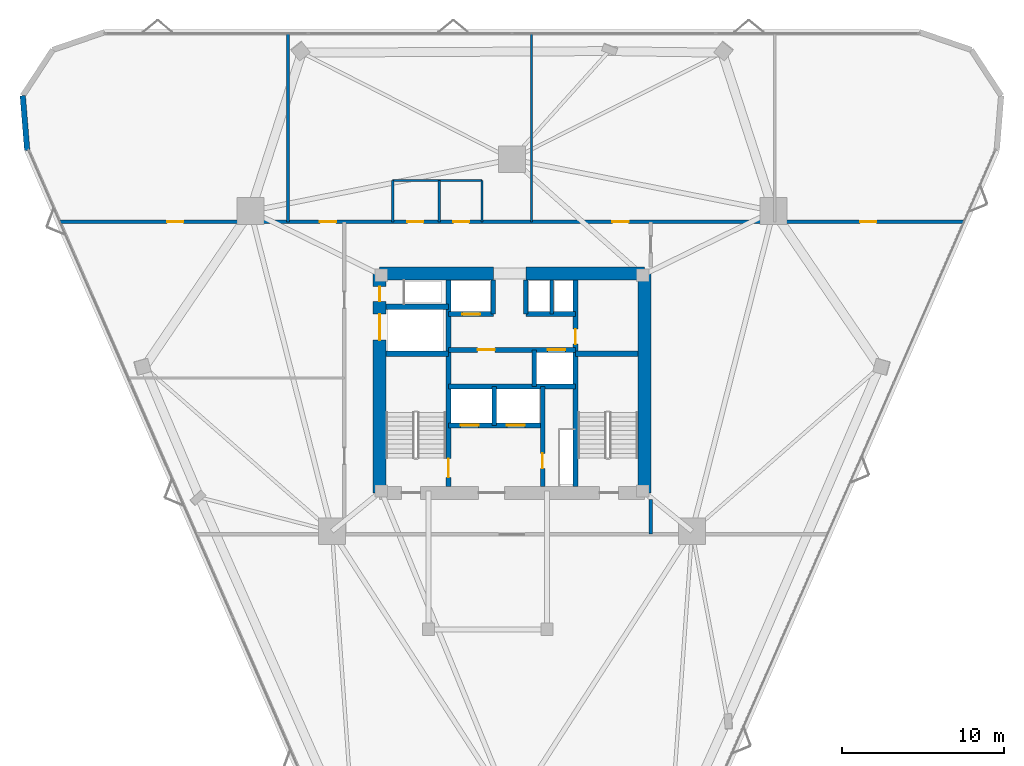
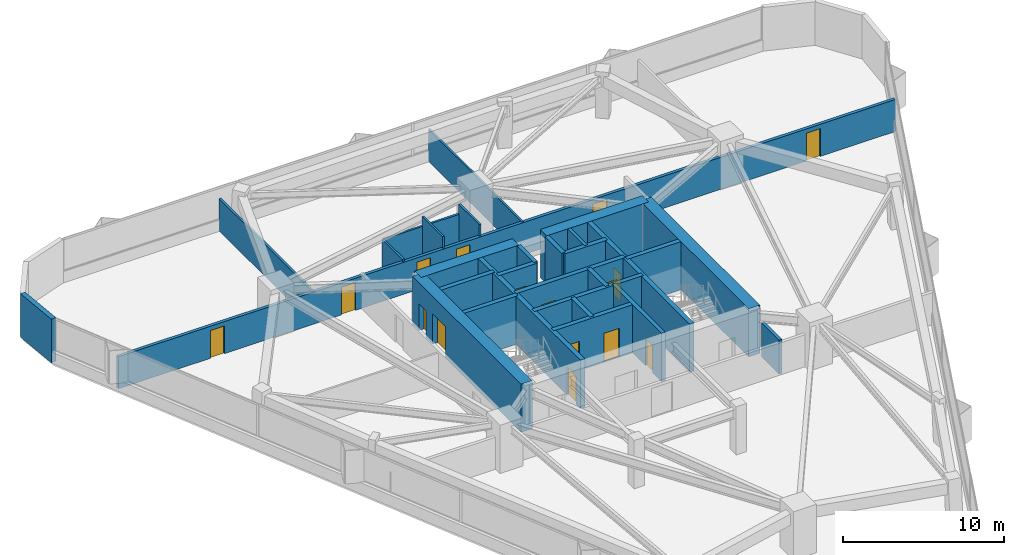
# One storey, part 12 of 14: 29 walls, 16 doors, 16 openings.
"""IFC4 building model written with IfcOpenShell, lengths in metres."""

import ifcopenshell
import ifcopenshell.guid

model = None  # the IFC model being written
_history = None  # IfcOwnerHistory: only IFC2X3 demands one
_inside = {}  # id of a spatial element -> (the spatial element, [elements in it])
_under = {}  # id of a project, library or spatial element -> (it, [spatial elements below it])
_declared = {}  # id of a project -> (the project, [libraries it declares])
_typed = {}  # id of a type object -> (the type object, [elements of that type])
_made_of = {}  # id of a material, layer set ... -> (it, [elements and type objects made of it])


def new_model(schema):
    """Start an empty IFC model of exactly this schema.

    Asked for "IFC4X3", IfcOpenShell would pick the latest addendum, in which some entities
    have other attributes; the version numbers below select the first issue.
    IFC2X3 requires an IfcOwnerHistory on every rooted entity: one is made here for all.
    """
    global model, _history
    if schema == "IFC4X3":
        model = ifcopenshell.file(schema_version=(4, 3, 0, 0))
    else:
        model = ifcopenshell.file(schema=schema)
    _inside.clear()
    _under.clear()
    _declared.clear()
    _typed.clear()
    _made_of.clear()
    _history = None
    if model.schema == "IFC2X3":
        org = make("IfcOrganization", Name="unknown")
        user = make(
            "IfcPersonAndOrganization",
            ThePerson=make("IfcPerson", FamilyName="unknown"),
            TheOrganization=org,
        )
        app = make(
            "IfcApplication",
            ApplicationDeveloper=org,
            Version="unknown",
            ApplicationFullName="unknown",
            ApplicationIdentifier="unknown",
        )
        _history = make(
            "IfcOwnerHistory",
            OwningUser=user,
            OwningApplication=app,
            ChangeAction="ADDED",
            CreationDate=0,
        )
    return model


def make(cls, **values):
    """One entity of the class cls with the attributes given. An attribute that is None is left unset."""
    return model.create_entity(
        cls, **{name: value for name, value in values.items() if value is not None}
    )


def rooted(cls, **values):
    """An entity with a GlobalId (a new one), such as an element, a storey or a relation."""
    return make(cls, GlobalId=ifcopenshell.guid.new(), OwnerHistory=_history, **values)


def si_unit(unit_type, name, prefix=None):
    """IfcSIUnit, for example si_unit("LENGTHUNIT", "METRE", prefix="MILLI")."""
    return make("IfcSIUnit", UnitType=unit_type, Prefix=prefix, Name=name)


def assignment(units):
    """IfcUnitAssignment: the units of a project."""
    return None if units is None else make("IfcUnitAssignment", Units=units)


def point(xyz):
    """IfcCartesianPoint."""
    return None if xyz is None else make("IfcCartesianPoint", Coordinates=xyz)


def direction(xyz):
    """IfcDirection."""
    return None if xyz is None else make("IfcDirection", DirectionRatios=xyz)


def frame(location, z_axis=None, x_axis=None):
    """IfcAxis2Placement3D, a coordinate frame: its origin and axes. An axis left out is left unset."""
    return make(
        "IfcAxis2Placement3D",
        Location=point(location),
        Axis=direction(z_axis),
        RefDirection=direction(x_axis),
    )


def frame_2d(location, x_axis=None):
    """IfcAxis2Placement2D, a coordinate frame in the plane: its origin and x axis."""
    return make(
        "IfcAxis2Placement2D", Location=point(location), RefDirection=direction(x_axis)
    )


def origin():
    """The frame at (0, 0, 0) with its axes left unset."""
    return frame((0.0, 0.0, 0.0))


def place(relative_to, where):
    """IfcLocalPlacement: puts the frame where relative to a parent placement (None: the world)."""
    return make(
        "IfcLocalPlacement", PlacementRelTo=relative_to, RelativePlacement=where
    )


def context(
    kind, dimensions, precision=None, world=None, true_north=None, identifier=None
):
    """IfcGeometricRepresentationContext, for example the 3D "Model" context."""
    return make(
        "IfcGeometricRepresentationContext",
        ContextIdentifier=identifier,
        ContextType=kind,
        CoordinateSpaceDimension=dimensions,
        Precision=precision,
        WorldCoordinateSystem=world,
        TrueNorth=true_north,
    )


def subcontext(parent, identifier, kind, view, scale=None):
    """IfcGeometricRepresentationSubContext, for example "Body" below "Model"."""
    return make(
        "IfcGeometricRepresentationSubContext",
        ContextIdentifier=identifier,
        ContextType=kind,
        ParentContext=parent,
        TargetScale=scale,
        TargetView=view,
    )


def project(units=None, contexts=None):
    """IfcProject with its units and contexts."""
    return rooted(
        "IfcProject",
        Name="project",
        RepresentationContexts=contexts,
        UnitsInContext=assignment(units),
    )


def spatial(cls, under=None, at=None, **own):
    """A site, building, storey or space (cls), placed at a placement, below another one or the project."""
    s = rooted(cls, ObjectPlacement=at, **own)
    if under is not None:
        _under.setdefault(under.id(), (under, []))[1].append(s)
    return s


def profile(cls, at=None, kind="AREA", **sizes):
    """A parametric profile (cls). Its sizes go by their IFC names, for example OverallWidth=200.0."""
    return make(cls, ProfileType=kind, Position=at, **sizes)


def rectangle(**sizes):
    """IfcRectangleProfileDef."""
    return profile("IfcRectangleProfileDef", **sizes)


def extrude(swept, where, along, depth):
    """IfcExtrudedAreaSolid: the profile swept, set in the frame where, extruded along a direction by depth."""
    return make(
        "IfcExtrudedAreaSolid",
        SweptArea=swept,
        Position=where,
        ExtrudedDirection=direction(along),
        Depth=depth,
    )


def shape(context_of_items, identifier, shape_type, items):
    """IfcShapeRepresentation: the items that make up one representation, for example the "Body"."""
    return make(
        "IfcShapeRepresentation",
        ContextOfItems=context_of_items,
        RepresentationIdentifier=identifier,
        RepresentationType=shape_type,
        Items=items,
    )


def material(Name=None, Category=None):
    """IfcMaterial."""
    return make("IfcMaterial", Name=Name, Category=Category)


def layer(
    of_material, thickness, ventilated=None, Name=None, Category=None, Priority=None
):
    """IfcMaterialLayer: one layer of a wall or slab, of a material (None: an air gap)."""
    return make(
        "IfcMaterialLayer",
        Material=of_material,
        LayerThickness=thickness,
        IsVentilated=ventilated,
        Name=Name,
        Category=Category,
        Priority=Priority,
    )


def layer_set(layers, Name=None):
    """IfcMaterialLayerSet."""
    return make("IfcMaterialLayerSet", MaterialLayers=layers, LayerSetName=Name)


def made_of(thing, what):
    """Note that an element or type object is made of a material, layer set ...; save() writes the relation."""
    if what is not None:
        _made_of.setdefault(what.id(), (what, []))[1].append(thing)
    return thing


def type_object(cls, material=None, **own):
    """A type object (cls), such as IfcWallType, which elements share."""
    return made_of(rooted(cls, **own), material)


def element(
    cls,
    number,
    at=None,
    inside=None,
    cuts=None,
    type_object=None,
    material=None,
    context=None,
    identifier="Body",
    shape_type=None,
    held_by="IfcProductDefinitionShape",
    body=None,
    shapes=None,
    **own,
):
    """One element of the class cls, such as IfcWall. Its Tag is "e" and its number.

    at: its placement. inside: the storey or other place that contains it. cuts: it is an
    opening in that element (IfcRelVoidsElement). A single representation is given by context,
    identifier, shape_type and body (its items); several are given by shapes. held_by: the class
    of the entity that holds the representations. save() writes the other relations.
    """
    e = rooted(cls, Tag="e%d" % number, ObjectPlacement=at, **own)
    if body is not None:
        shapes = [shape(context, identifier, shape_type, body)]
    if shapes is not None:
        e.Representation = make(held_by, Representations=shapes)
    if inside is not None:
        _inside.setdefault(inside.id(), (inside, []))[1].append(e)
    if cuts is not None:
        rooted(
            "IfcRelVoidsElement", RelatingBuildingElement=cuts, RelatedOpeningElement=e
        )
    if type_object is not None:
        _typed.setdefault(type_object.id(), (type_object, []))[1].append(e)
    return made_of(e, material)


def fill(opening, filler):
    """IfcRelFillsElement: the door or window that sits in an opening."""
    return rooted(
        "IfcRelFillsElement",
        RelatingOpeningElement=opening,
        RelatedBuildingElement=filler,
    )


def aggregate(whole, parts):
    """IfcRelAggregates: a whole, such as a stair, and the parts it consists of."""
    return rooted("IfcRelAggregates", RelatingObject=whole, RelatedObjects=parts)


def save(model, path):
    """Write the relations noted so far, then the file.

    IfcRelAggregates (storeys below a building ...), IfcRelContainedInSpatialStructure (elements
    in a storey), IfcRelDefinesByType, IfcRelAssociatesMaterial and IfcRelDeclares: one each for
    every whole, place, type object, material and project.
    """
    for whole, parts in _under.values():
        aggregate(whole, parts)
    for where, things in _inside.values():
        rooted(
            "IfcRelContainedInSpatialStructure",
            RelatedElements=things,
            RelatingStructure=where,
        )
    for kind, things in _typed.values():
        rooted("IfcRelDefinesByType", RelatedObjects=things, RelatingType=kind)
    for what, things in _made_of.values():
        rooted("IfcRelAssociatesMaterial", RelatedObjects=things, RelatingMaterial=what)
    for by, libraries in _declared.values():
        rooted("IfcRelDeclares", RelatingContext=by, RelatedDefinitions=libraries)
    model.write(path)


model = new_model("IFC4")

# Units and contexts
model_context = context("Model", 3, precision=1e-05, world=origin(), true_north=direction((0.0, 1.0)))
body_context = subcontext(model_context, "Body", "Model", "MODEL_VIEW")
ifc_project = project(units=[si_unit("LENGTHUNIT", "METRE"), si_unit("AREAUNIT", "SQUARE_METRE"), si_unit("VOLUMEUNIT", "CUBIC_METRE"), si_unit("PLANEANGLEUNIT", "RADIAN"), si_unit("MASSUNIT", "GRAM", prefix="KILO")], contexts=[model_context])

# Site, building, storey
site_placement = place(None, origin())
site = spatial("IfcSite", under=ifc_project, at=site_placement, CompositionType="ELEMENT")
building_placement = place(site_placement, origin())
building = spatial("IfcBuilding", under=site, at=building_placement, Name="Talyreon Biosciences Tower", CompositionType="ELEMENT")
storey_placement = place(building_placement, frame((0.0, 0.0, 115.14990234375)))
storey = spatial("IfcBuildingStorey", under=building, at=storey_placement, Name="L30", CompositionType="ELEMENT", Elevation=115.14990234375)

# Walls
ifc_material_1 = material(Name="Concrete C50/60", Category="concrete")
ifc_layer_1 = layer(ifc_material_1, 0.219970703125)
ifc_layer_set_1 = layer_set([ifc_layer_1], Name="Concrete C50/60")
wall_type_1 = type_object("IfcWallType", Name="CoreShearWall_220", PredefinedType="SHEAR", material=ifc_layer_set_1)
wall_1_placement = place(storey_placement, frame((68.4599609375, 72.25, 0.0), z_axis=(0.0, 0.0, 1.0), x_axis=(0.0, 1.0, 0.0)))
element("IfcWall", 1, at=wall_1_placement, inside=storey, type_object=wall_type_1, Name="L30 Core Shaft Wall SWPHD", PredefinedType="SHEAR", context=body_context, shape_type="SweptSolid", body=[
    extrude(rectangle(XDim=2.10009765625, YDim=0.219970703125, at=frame_2d((1.050048828125, 0.0))), origin(), (0.0, 0.0, 1.0), 3.650146484375),
])
ifc_layer_2 = layer(ifc_material_1, 0.280029296875)
ifc_layer_set_2 = layer_set([ifc_layer_2], Name="Concrete C50/60")
wall_type_2 = type_object("IfcWallType", Name="CoreShearWall_280", PredefinedType="SHEAR", material=ifc_layer_set_2)
wall_2_placement = place(storey_placement, frame((64.919921875, 65.39990234375, 0.0), z_axis=(0.0, 0.0, 1.0), x_axis=(0.0, 1.0, 0.0)))
element("IfcWall", 2, at=wall_2_placement, inside=storey, type_object=wall_type_2, Name="L30 Core Shaft Wall SWSHD1", PredefinedType="SHEAR", context=body_context, shape_type="SweptSolid", body=[
    extrude(rectangle(XDim=2.400146484375, YDim=0.280029296875, at=frame_2d((1.2001953125, 0.0))), origin(), (0.0, 0.0, 1.0), 3.650146484375),
])
for number, where, z_axis, x_axis, name in (
    (3, (64.85009765625, 72.25, 0.0), (0.0, 0.0, 1.0), (0.0, 1.0, 0.0), "L30 Core Shaft Wall SWTHW"),
    (4, (66.85009765625, 72.25, 0.0), (0.0, 0.0, 1.0), (0.0, 1.0, 0.0), "L30 Core Shaft Wall SWTHE"),
):
    element("IfcWall", number, at=place(storey_placement, frame(where, z_axis=z_axis, x_axis=x_axis)), inside=storey, type_object=wall_type_2, Name=name, PredefinedType="SHEAR", context=body_context, shape_type="SweptSolid", body=[
        extrude(rectangle(XDim=2.10009765625, YDim=0.280029296875, at=frame_2d((1.050048828125, 0.0))), origin(), (0.0, 0.0, 1.0), 3.650146484375),
    ])

# Wall, opening, door
wall_3_placement = place(storey_placement, frame((67.8798828125, 61.64990234375, 0.0), z_axis=(0.0, 0.0, 1.0), x_axis=(0.0, 1.0, 0.0)))
wall_3 = element("IfcWall", 5, at=wall_3_placement, inside=storey, type_object=wall_type_2, Name="L30 Core Shaft Wall SWFFE", PredefinedType="SHEAR", context=body_context, shape_type="SweptSolid", body=[
    extrude(rectangle(XDim=6.150146484375, YDim=0.280029296875, at=frame_2d((3.0751953125, 0.0))), origin(), (0.0, 0.0, 1.0), 3.650146484375),
])
opening_1_placement = place(wall_3_placement, frame((1.10009765625, 0.0, 0.0)))
opening_1 = element("IfcOpeningElement", 6, at=opening_1_placement, cuts=wall_3, Name="Opening DR-L30-RSE", PredefinedType="OPENING", context=body_context, shape_type="SweptSolid", body=[
    extrude(rectangle(XDim=0.919921875, YDim=2.050048828125, at=frame_2d((0.4599609375, 1.02490234375))), frame((0.0, 0.14990234375, 0.0), z_axis=(0.0, -1.0, 0.0), x_axis=(1.0, 0.0, 0.0)), (0.0, 0.0, 1.0), 0.300048828125),
])
ifc_material_2 = material(Name="Painted steel fire-rated riser door", Category="steel")
door_type_1 = type_object("IfcDoorType", Name="RiserPlantAccessDoor_920x2050", OperationType="NOTDEFINED", PredefinedType="DOOR", material=ifc_material_2)
door_1_placement = place(opening_1_placement, origin())
door_1 = element("IfcDoor", 7, at=door_1_placement, inside=storey, type_object=door_type_1, Name="L30 Core Door DR-L30-RSE", OperationType="SINGLE_SWING_RIGHT", OverallHeight=2.050048828125, OverallWidth=0.919921875, PredefinedType="DOOR", context=body_context, shape_type="SweptSolid", body=[
    extrude(rectangle(XDim=0.919921875, YDim=2.050048828125, at=frame_2d((0.4599609375, 1.02490234375))), frame((0.0, 0.02490234375, 0.0), z_axis=(0.0, -1.0, 0.0), x_axis=(1.0, 0.0, 0.0)), (0.0, 0.0, 1.0), 0.050048828125),
])
fill(opening_1, door_1)

# Wall
wall_4_placement = place(storey_placement, frame((67.3798828125, 67.800048828125, 0.0), z_axis=(0.0, 0.0, 1.0), x_axis=(0.0, 1.0, 0.0)))
element("IfcWall", 8, at=wall_4_placement, inside=storey, type_object=wall_type_2, Name="L30 Core Shaft Wall SWPMD", PredefinedType="SHEAR", context=body_context, shape_type="SweptSolid", body=[
    extrude(rectangle(XDim=2.25, YDim=0.280029296875, at=frame_2d((1.125, 0.0))), origin(), (0.0, 0.0, 1.0), 3.650146484375),
])

# Wall, opening, door
ifc_layer_3 = layer(ifc_material_1, 0.320068359375)
ifc_layer_set_3 = layer_set([ifc_layer_3], Name="Concrete C50/60")
wall_type_3 = type_object("IfcWallType", Name="CoreShearWall_320", PredefinedType="SHEAR", material=ifc_layer_set_3)
wall_5_placement = place(storey_placement, frame((62.090087890625, 61.64990234375, 0.0), z_axis=(0.0, 0.0, 1.0), x_axis=(0.0, 1.0, 0.0)))
wall_5 = element("IfcWall", 9, at=wall_5_placement, inside=storey, type_object=wall_type_3, Name="L30 Core Shaft Wall SW1E", PredefinedType="SHEAR", context=body_context, shape_type="SweptSolid", body=[
    extrude(rectangle(XDim=12.7001953125, YDim=0.320068359375, at=frame_2d((6.35009765625, 0.0))), origin(), (0.0, 0.0, 1.0), 3.650146484375),
])
opening_2_placement = place(wall_5_placement, frame((0.550048828125, 0.0, 0.0)))
opening_2 = element("IfcOpeningElement", 10, at=opening_2_placement, cuts=wall_5, Name="Opening DR-L30-FF-ST1", PredefinedType="OPENING", context=body_context, shape_type="SweptSolid", body=[
    extrude(rectangle(XDim=1.14990234375, YDim=2.14990234375, at=frame_2d((0.574951171875, 1.074951171875))), frame((0.0, 0.169921875, 0.0), z_axis=(0.0, -1.0, 0.0), x_axis=(1.0, 0.0, 0.0)), (0.0, 0.0, 1.0), 0.340087890625),
])
ifc_material_3 = material(Name="Painted steel fire door", Category="steel")
door_type_2 = type_object("IfcDoorType", Name="StairShaftFireDoor_1150x2150", OperationType="NOTDEFINED", PredefinedType="DOOR", material=ifc_material_3)
door_2_placement = place(opening_2_placement, origin())
door_2 = element("IfcDoor", 11, at=door_2_placement, inside=storey, type_object=door_type_2, Name="L30 Core Door DR-L30-FF-ST1", OperationType="SINGLE_SWING_LEFT", OverallHeight=2.14990234375, OverallWidth=1.14990234375, PredefinedType="DOOR", context=body_context, shape_type="SweptSolid", body=[
    extrude(rectangle(XDim=1.14990234375, YDim=2.14990234375, at=frame_2d((0.574951171875, 1.074951171875))), frame((0.0, 0.02490234375, 0.0), z_axis=(0.0, -1.0, 0.0), x_axis=(1.0, 0.0, 0.0)), (0.0, 0.0, 1.0), 0.050048828125),
])
fill(opening_2, door_2)

wall_6_placement = place(storey_placement, frame((69.909912109375, 61.64990234375, 0.0), z_axis=(0.0, 0.0, 1.0), x_axis=(0.0, 1.0, 0.0)))
wall_6 = element("IfcWall", 12, at=wall_6_placement, inside=storey, type_object=wall_type_3, Name="L30 Core Shaft Wall SW2W", PredefinedType="SHEAR", context=body_context, shape_type="SweptSolid", body=[
    extrude(rectangle(XDim=12.7001953125, YDim=0.320068359375, at=frame_2d((6.35009765625, 0.0))), origin(), (0.0, 0.0, 1.0), 3.650146484375),
])
opening_3_placement = place(wall_6_placement, frame((8.75, 0.0, 0.0)))
opening_3 = element("IfcOpeningElement", 13, at=opening_3_placement, cuts=wall_6, Name="Opening DR-L30-CSRV", PredefinedType="OPENING", context=body_context, shape_type="SweptSolid", body=[
    extrude(rectangle(XDim=0.919921875, YDim=2.050048828125, at=frame_2d((0.4599609375, 1.02490234375))), frame((0.0, 0.169921875, 0.0), z_axis=(0.0, -1.0, 0.0), x_axis=(1.0, 0.0, 0.0)), (0.0, 0.0, 1.0), 0.340087890625),
])
door_3_placement = place(opening_3_placement, origin())
door_3 = element("IfcDoor", 14, at=door_3_placement, inside=storey, type_object=door_type_1, Name="L30 Core Door DR-L30-CSRV", OperationType="SINGLE_SWING_RIGHT", OverallHeight=2.050048828125, OverallWidth=0.919921875, PredefinedType="DOOR", context=body_context, shape_type="SweptSolid", body=[
    extrude(rectangle(XDim=0.919921875, YDim=2.050048828125, at=frame_2d((0.4599609375, 1.02490234375))), frame((0.0, 0.02490234375, 0.0), z_axis=(0.0, -1.0, 0.0), x_axis=(1.0, 0.0, 0.0)), (0.0, 0.0, 1.0), 0.050048828125),
])
fill(opening_3, door_3)

# Walls
for number, where, z_axis, x_axis, name in (
    (15, (58.25, 69.81005859375, 0.0), (0.0, 0.0, 1.0), (1.0, 0.0, 0.0), "L30 Core Shaft Wall SW1N"),
    (16, (69.909912109375, 69.81005859375, 0.0), (0.0, 0.0, 1.0), (1.0, 0.0, 0.0), "L30 Core Shaft Wall SW2N"),
    (17, (58.25, 72.699951171875, 0.0), (0.0, 0.0, 1.0), (1.0, 0.0, 0.0), "L30 Core Shaft Wall SWGLN"),
):
    element("IfcWall", number, at=place(storey_placement, frame(where, z_axis=z_axis, x_axis=x_axis)), inside=storey, type_object=wall_type_3, Name=name, PredefinedType="SHEAR", context=body_context, shape_type="SweptSolid", body=[
        extrude(rectangle(XDim=3.840087890625, YDim=0.320068359375, at=frame_2d((1.919921875, 0.0))), origin(), (0.0, 0.0, 1.0), 3.650146484375),
    ])
wall_7_placement = place(storey_placement, frame((62.090087890625, 67.800048828125, 0.0), z_axis=(0.0, 0.0, 1.0), x_axis=(1.0, 0.0, 0.0)))
element("IfcWall", 18, at=wall_7_placement, inside=storey, type_object=wall_type_3, Name="L30 Core Shaft Wall SWSHM", PredefinedType="SHEAR", context=body_context, shape_type="SweptSolid", body=[
    extrude(rectangle(XDim=7.81982421875, YDim=0.320068359375, at=frame_2d((3.909912109375, 0.0))), origin(), (0.0, 0.0, 1.0), 3.650146484375),
])

# Wall, openings, doors
wall_8_placement = place(storey_placement, frame((62.090087890625, 70.050048828125, 0.0), z_axis=(0.0, 0.0, 1.0), x_axis=(1.0, 0.0, 0.0)))
wall_8 = element("IfcWall", 19, at=wall_8_placement, inside=storey, type_object=wall_type_3, Name="L30 Core Shaft Wall SWSPN", PredefinedType="SHEAR", context=body_context, shape_type="SweptSolid", body=[
    extrude(rectangle(XDim=7.81982421875, YDim=0.320068359375, at=frame_2d((3.909912109375, 0.0))), origin(), (0.0, 0.0, 1.0), 3.650146484375),
])
opening_4_placement = place(wall_8_placement, frame((1.800048828125, 0.0, 0.0)))
opening_4 = element("IfcOpeningElement", 20, at=opening_4_placement, cuts=wall_8, Name="Opening DR-L30-PLFREE-A", PredefinedType="OPENING", context=body_context, shape_type="SweptSolid", body=[
    extrude(rectangle(XDim=1.050048828125, YDim=2.14990234375, at=frame_2d((0.52490234375, 1.074951171875))), frame((0.0, 0.169921875, 0.0), z_axis=(0.0, -1.0, 0.0), x_axis=(1.0, 0.0, 0.0)), (0.0, 0.0, 1.0), 0.340087890625),
])
opening_5_placement = place(wall_8_placement, frame((6.10009765625, 0.0, 0.0)))
opening_5 = element("IfcOpeningElement", 21, at=opening_5_placement, cuts=wall_8, Name="Opening LD-L30-PM1", PredefinedType="OPENING", context=body_context, shape_type="SweptSolid", body=[
    extrude(rectangle(XDim=1.10009765625, YDim=2.199951171875, at=frame_2d((0.550048828125, 1.10009765625))), frame((0.0, 0.169921875, 0.0), z_axis=(0.0, -1.0, 0.0), x_axis=(1.0, 0.0, 0.0)), (0.0, 0.0, 1.0), 0.340087890625),
])
ifc_material_4 = material(Name="Acoustic timber-core laboratory door", Category="wood")
door_type_3 = type_object("IfcDoorType", Name="DryLabSingleDoor_1050x2150", OperationType="NOTDEFINED", PredefinedType="DOOR", material=ifc_material_4)
door_4_placement = place(opening_4_placement, origin())
door_4 = element("IfcDoor", 22, at=door_4_placement, inside=storey, type_object=door_type_3, Name="L30 Core Door DR-L30-PLFREE-A", OperationType="SINGLE_SWING_LEFT", OverallHeight=2.14990234375, OverallWidth=1.050048828125, PredefinedType="DOOR", context=body_context, shape_type="SweptSolid", body=[
    extrude(rectangle(XDim=1.050048828125, YDim=2.14990234375, at=frame_2d((0.52490234375, 1.074951171875))), frame((0.0, 0.02490234375, 0.0), z_axis=(0.0, -1.0, 0.0), x_axis=(1.0, 0.0, 0.0)), (0.0, 0.0, 1.0), 0.050048828125),
])
fill(opening_4, door_4)
ifc_material_5 = material(Name="Brushed stainless-steel lift landing door", Category="steel")
door_type_4 = type_object("IfcDoorType", Name="LiftSlidingLandingDoor_1100x2200", OperationType="SLIDING_TO_LEFT", PredefinedType="DOOR", material=ifc_material_5)
door_5_placement = place(opening_5_placement, origin())
door_5 = element("IfcDoor", 23, at=door_5_placement, inside=storey, type_object=door_type_4, Name="L30 Core Door LD-L30-PM1", OperationType="SLIDING_TO_LEFT", OverallHeight=2.199951171875, OverallWidth=1.10009765625, PredefinedType="DOOR", context=body_context, shape_type="SweptSolid", body=[
    extrude(rectangle(XDim=1.10009765625, YDim=2.199951171875, at=frame_2d((0.550048828125, 1.10009765625))), frame((0.0, 0.02490234375, 0.0), z_axis=(0.0, -1.0, 0.0), x_axis=(1.0, 0.0, 0.0)), (0.0, 0.0, 1.0), 0.050048828125),
])
fill(opening_5, door_5)

# Wall, opening, door
wall_9_placement = place(storey_placement, frame((62.090087890625, 72.25, 0.0), z_axis=(0.0, 0.0, 1.0), x_axis=(1.0, 0.0, 0.0)))
wall_9 = element("IfcWall", 24, at=wall_9_placement, inside=storey, type_object=wall_type_3, Name="L30 Core Shaft Wall SWNPW", PredefinedType="SHEAR", context=body_context, shape_type="SweptSolid", body=[
    extrude(rectangle(XDim=2.760009765625, YDim=0.320068359375, at=frame_2d((1.3798828125, 0.0))), origin(), (0.0, 0.0, 1.0), 3.650146484375),
])
opening_6_placement = place(wall_9_placement, frame((0.85009765625, 0.0, 0.0)))
opening_6 = element("IfcOpeningElement", 25, at=opening_6_placement, cuts=wall_9, Name="Opening LD-L30-PM2", PredefinedType="OPENING", context=body_context, shape_type="SweptSolid", body=[
    extrude(rectangle(XDim=1.10009765625, YDim=2.199951171875, at=frame_2d((0.550048828125, 1.10009765625))), frame((0.0, 0.169921875, 0.0), z_axis=(0.0, -1.0, 0.0), x_axis=(1.0, 0.0, 0.0)), (0.0, 0.0, 1.0), 0.340087890625),
])
door_6_placement = place(opening_6_placement, origin())
door_6 = element("IfcDoor", 26, at=door_6_placement, inside=storey, type_object=door_type_4, Name="L30 Core Door LD-L30-PM2", OperationType="SLIDING_TO_LEFT", OverallHeight=2.199951171875, OverallWidth=1.10009765625, PredefinedType="DOOR", context=body_context, shape_type="SweptSolid", body=[
    extrude(rectangle(XDim=1.10009765625, YDim=2.199951171875, at=frame_2d((0.550048828125, 1.10009765625))), frame((0.0, 0.02490234375, 0.0), z_axis=(0.0, -1.0, 0.0), x_axis=(1.0, 0.0, 0.0)), (0.0, 0.0, 1.0), 0.050048828125),
])
fill(opening_6, door_6)

# Wall
wall_10_placement = place(storey_placement, frame((66.85009765625, 72.25, 0.0), z_axis=(0.0, 0.0, 1.0), x_axis=(1.0, 0.0, 0.0)))
element("IfcWall", 27, at=wall_10_placement, inside=storey, type_object=wall_type_3, Name="L30 Core Shaft Wall SWNPE", PredefinedType="SHEAR", context=body_context, shape_type="SweptSolid", body=[
    extrude(rectangle(XDim=3.059814453125, YDim=0.320068359375, at=frame_2d((1.52978515625, 0.0))), origin(), (0.0, 0.0, 1.0), 3.650146484375),
])

# Wall, openings, doors
wall_11_placement = place(storey_placement, frame((62.090087890625, 65.39990234375, 0.0), z_axis=(0.0, 0.0, 1.0), x_axis=(1.0, 0.0, 0.0)))
wall_11 = element("IfcWall", 28, at=wall_11_placement, inside=storey, type_object=wall_type_3, Name="L30 Core Shaft Wall SWFFN", PredefinedType="SHEAR", context=body_context, shape_type="SweptSolid", body=[
    extrude(rectangle(XDim=5.789794921875, YDim=0.320068359375, at=frame_2d((2.89501953125, 0.0))), origin(), (0.0, 0.0, 1.0), 3.650146484375),
])
opening_7_placement = place(wall_11_placement, frame((0.75, 0.0, 0.0)))
opening_7 = element("IfcOpeningElement", 29, at=opening_7_placement, cuts=wall_11, Name="Opening LD-L30-FL1", PredefinedType="OPENING", context=body_context, shape_type="SweptSolid", body=[
    extrude(rectangle(XDim=1.10009765625, YDim=2.199951171875, at=frame_2d((0.550048828125, 1.10009765625))), frame((0.0, 0.169921875, 0.0), z_axis=(0.0, -1.0, 0.0), x_axis=(1.0, 0.0, 0.0)), (0.0, 0.0, 1.0), 0.340087890625),
])
opening_8_placement = place(wall_11_placement, frame((3.60009765625, 0.0, 0.0)))
opening_8 = element("IfcOpeningElement", 30, at=opening_8_placement, cuts=wall_11, Name="Opening LD-L30-FL2", PredefinedType="OPENING", context=body_context, shape_type="SweptSolid", body=[
    extrude(rectangle(XDim=1.10009765625, YDim=2.199951171875, at=frame_2d((0.550048828125, 1.10009765625))), frame((0.0, 0.169921875, 0.0), z_axis=(0.0, -1.0, 0.0), x_axis=(1.0, 0.0, 0.0)), (0.0, 0.0, 1.0), 0.340087890625),
])
door_7_placement = place(opening_7_placement, origin())
door_7 = element("IfcDoor", 31, at=door_7_placement, inside=storey, type_object=door_type_4, Name="L30 Core Door LD-L30-FL1", OperationType="SLIDING_TO_LEFT", OverallHeight=2.199951171875, OverallWidth=1.10009765625, PredefinedType="DOOR", context=body_context, shape_type="SweptSolid", body=[
    extrude(rectangle(XDim=1.10009765625, YDim=2.199951171875, at=frame_2d((0.550048828125, 1.10009765625))), frame((0.0, 0.02490234375, 0.0), z_axis=(0.0, -1.0, 0.0), x_axis=(1.0, 0.0, 0.0)), (0.0, 0.0, 1.0), 0.050048828125),
])
fill(opening_7, door_7)
door_8_placement = place(opening_8_placement, origin())
door_8 = element("IfcDoor", 32, at=door_8_placement, inside=storey, type_object=door_type_4, Name="L30 Core Door LD-L30-FL2", OperationType="SLIDING_TO_LEFT", OverallHeight=2.199951171875, OverallWidth=1.10009765625, PredefinedType="DOOR", context=body_context, shape_type="SweptSolid", body=[
    extrude(rectangle(XDim=1.10009765625, YDim=2.199951171875, at=frame_2d((0.550048828125, 1.10009765625))), frame((0.0, 0.02490234375, 0.0), z_axis=(0.0, -1.0, 0.0), x_axis=(1.0, 0.0, 0.0)), (0.0, 0.0, 1.0), 0.050048828125),
])
fill(opening_8, door_8)

# Walls
ifc_material_6 = material(Name="Concrete C60/75", Category="concrete")
ifc_layer_4 = layer(ifc_material_6, 0.800048828125)
ifc_layer_set_4 = layer_set([ifc_layer_4], Name="Concrete C60/75")
wall_type_4 = type_object("IfcWallType", Name="CoreShearWall_800", PredefinedType="SHEAR", material=ifc_layer_set_4)
wall_12_placement = place(storey_placement, frame((74.14990234375, 61.25, 0.0), z_axis=(0.0, 0.0, 1.0), x_axis=(0.0, 1.0, 0.0)))
element("IfcWall", 33, at=wall_12_placement, inside=storey, type_object=wall_type_4, Name="L30 Core Shear Wall E", PredefinedType="SHEAR", context=body_context, shape_type="SweptSolid", body=[
    extrude(rectangle(XDim=13.5, YDim=0.800048828125, at=frame_2d((6.75, 0.0))), origin(), (0.0, 0.0, 1.0), 3.650146484375),
])
wall_13_placement = place(storey_placement, frame((74.14990234375, 74.75, 0.0), z_axis=(0.0, 0.0, 1.0), x_axis=(-1.0, 0.0, 0.0)))
element("IfcWall", 34, at=wall_13_placement, inside=storey, type_object=wall_type_4, Name="L30 Core Shear Wall NE", PredefinedType="SHEAR", context=body_context, shape_type="SweptSolid", body=[
    extrude(rectangle(XDim=7.2998046875, YDim=0.800048828125, at=frame_2d((3.64990234375, 0.0))), origin(), (0.0, 0.0, 1.0), 3.650146484375),
])
wall_14_placement = place(storey_placement, frame((64.85009765625, 74.75, 0.0), z_axis=(0.0, 0.0, 1.0), x_axis=(-1.0, 0.0, 0.0)))
element("IfcWall", 35, at=wall_14_placement, inside=storey, type_object=wall_type_4, Name="L30 Core Shear Wall NW", PredefinedType="SHEAR", context=body_context, shape_type="SweptSolid", body=[
    extrude(rectangle(XDim=7.0, YDim=0.800048828125, at=frame_2d((3.5, 0.0))), origin(), (0.0, 0.0, 1.0), 3.650146484375),
])

# Wall, openings, doors
wall_15_placement = place(storey_placement, frame((57.85009765625, 74.75, 0.0), z_axis=(0.0, 0.0, 1.0), x_axis=(0.0, -1.0, 0.0)))
wall_15 = element("IfcWall", 36, at=wall_15_placement, inside=storey, type_object=wall_type_4, Name="L30 Core Shear Wall W", PredefinedType="SHEAR", context=body_context, shape_type="SweptSolid", body=[
    extrude(rectangle(XDim=13.5, YDim=0.800048828125, at=frame_2d((6.75, 0.0))), origin(), (0.0, 0.0, 1.0), 3.650146484375),
])
opening_9_placement = place(wall_15_placement, frame((0.800048828125, 0.0, 0.0)))
opening_9 = element("IfcOpeningElement", 37, at=opening_9_placement, cuts=wall_15, Name="Opening DR-L30-RSW", PredefinedType="OPENING", context=body_context, shape_type="SweptSolid", body=[
    extrude(rectangle(XDim=0.919921875, YDim=2.050048828125, at=frame_2d((0.4599609375, 1.02490234375))), frame((0.0, 0.409912109375, 0.0), z_axis=(0.0, -1.0, 0.0), x_axis=(1.0, 0.0, 0.0)), (0.0, 0.0, 1.0), 0.820068359375),
])
opening_10_placement = place(wall_15_placement, frame((2.5, 0.0, 0.0)))
opening_10 = element("IfcOpeningElement", 38, at=opening_10_placement, cuts=wall_15, Name="Opening LD-L30-GL1", PredefinedType="OPENING", context=body_context, shape_type="SweptSolid", body=[
    extrude(rectangle(XDim=1.60009765625, YDim=2.300048828125, at=frame_2d((0.800048828125, 1.14990234375))), frame((0.0, 0.409912109375, 0.0), z_axis=(0.0, -1.0, 0.0), x_axis=(1.0, 0.0, 0.0)), (0.0, 0.0, 1.0), 0.820068359375),
])
ifc_material_7 = material(Name="Heavy-duty stainless-steel goods lift door", Category="steel")
door_type_5 = type_object("IfcDoorType", Name="GoodsLiftSlidingDoor_1600x2300", OperationType="DOUBLE_DOOR_SLIDING", PredefinedType="DOOR", material=ifc_material_7)
door_9_placement = place(opening_10_placement, origin())
door_9 = element("IfcDoor", 39, at=door_9_placement, inside=storey, type_object=door_type_5, Name="L30 Core Door LD-L30-GL1", OperationType="DOUBLE_DOOR_SLIDING", OverallHeight=2.300048828125, OverallWidth=1.60009765625, PredefinedType="DOOR", context=body_context, shape_type="SweptSolid", body=[
    extrude(rectangle(XDim=1.60009765625, YDim=2.300048828125, at=frame_2d((0.800048828125, 1.14990234375))), frame((0.0, 0.02490234375, 0.0), z_axis=(0.0, -1.0, 0.0), x_axis=(1.0, 0.0, 0.0)), (0.0, 0.0, 1.0), 0.050048828125),
])
fill(opening_10, door_9)
door_10_placement = place(opening_9_placement, origin())
door_10 = element("IfcDoor", 40, at=door_10_placement, inside=storey, type_object=door_type_1, Name="L30 Core Door DR-L30-RSW", OperationType="SINGLE_SWING_LEFT", OverallHeight=2.050048828125, OverallWidth=0.919921875, PredefinedType="DOOR", context=body_context, shape_type="SweptSolid", body=[
    extrude(rectangle(XDim=0.919921875, YDim=2.050048828125, at=frame_2d((0.4599609375, 1.02490234375))), frame((0.0, 0.02490234375, 0.0), z_axis=(0.0, -1.0, 0.0), x_axis=(1.0, 0.0, 0.0)), (0.0, 0.0, 1.0), 0.050048828125),
])
fill(opening_9, door_10)

ifc_material_8 = material(Name="Gypsum fireboard acoustic stud", Category="gypsum")
ifc_layer_5 = layer(ifc_material_8, 0.219970703125)
ifc_layer_set_5 = layer_set([ifc_layer_5], Name="Gypsum fireboard acoustic stud")
wall_type_5 = type_object("IfcWallType", Name="CorridorRatedPartition_220", PredefinedType="PARTITIONING", material=ifc_layer_set_5)
wall_16_placement = place(storey_placement, frame((38.164306640625, 77.929931640625, 0.0), z_axis=(0.0, 0.0, 1.0), x_axis=(1.0, 0.0, 0.0)))
wall_16 = element("IfcWall", 41, at=wall_16_placement, inside=storey, type_object=wall_type_5, Name="L30 Interior Wall IW-L30-COR-N", PredefinedType="PARTITIONING", context=body_context, shape_type="SweptSolid", body=[
    extrude(rectangle(XDim=55.67138671875, YDim=0.219970703125, at=frame_2d((27.835693359375, 0.0))), origin(), (0.0, 0.0, 1.0), 2.43017578125),
])
opening_11_placement = place(wall_16_placement, frame((21.39599609375, 0.0, 0.0)))
opening_11 = element("IfcOpeningElement", 42, at=opening_11_placement, cuts=wall_16, Name="Opening DR-L30-WC", PredefinedType="OPENING", context=body_context, shape_type="SweptSolid", body=[
    extrude(rectangle(XDim=0.97998046875, YDim=2.10009765625, at=frame_2d((0.489990234375, 1.050048828125))), frame((0.0, 0.119873046875, 0.0), z_axis=(0.0, -1.0, 0.0), x_axis=(1.0, 0.0, 0.0)), (0.0, 0.0, 1.0), 0.239990234375),
])
opening_12_placement = place(wall_16_placement, frame((24.220947265625, 0.0, 0.0)))
opening_12 = element("IfcOpeningElement", 43, at=opening_12_placement, cuts=wall_16, Name="Opening DR-L30-AWC", PredefinedType="OPENING", context=body_context, shape_type="SweptSolid", body=[
    extrude(rectangle(XDim=0.97998046875, YDim=2.10009765625, at=frame_2d((0.489990234375, 1.050048828125))), frame((0.0, 0.119873046875, 0.0), z_axis=(0.0, -1.0, 0.0), x_axis=(1.0, 0.0, 0.0)), (0.0, 0.0, 1.0), 0.239990234375),
])
opening_13_placement = place(wall_16_placement, frame((6.596923828125, 0.0, 0.0)))
opening_13 = element("IfcOpeningElement", 44, at=opening_13_placement, cuts=wall_16, Name="Opening DR-L30-N1A", PredefinedType="OPENING", context=body_context, shape_type="SweptSolid", body=[
    extrude(rectangle(XDim=1.0, YDim=2.10009765625, at=frame_2d((0.5, 1.050048828125))), frame((0.0, 0.119873046875, 0.0), z_axis=(0.0, -1.0, 0.0), x_axis=(1.0, 0.0, 0.0)), (0.0, 0.0, 1.0), 0.239990234375),
])
opening_14_placement = place(wall_16_placement, frame((16.0009765625, 0.0, 0.0)))
opening_14 = element("IfcOpeningElement", 45, at=opening_14_placement, cuts=wall_16, Name="Opening DR-L30-N2A", PredefinedType="OPENING", context=body_context, shape_type="SweptSolid", body=[
    extrude(rectangle(XDim=1.0, YDim=2.10009765625, at=frame_2d((0.5, 1.050048828125))), frame((0.0, 0.119873046875, 0.0), z_axis=(0.0, -1.0, 0.0), x_axis=(1.0, 0.0, 0.0)), (0.0, 0.0, 1.0), 0.239990234375),
])
opening_15_placement = place(wall_16_placement, frame((34.013916015625, 0.0, 0.0)))
opening_15 = element("IfcOpeningElement", 46, at=opening_15_placement, cuts=wall_16, Name="Opening DR-L30-N3A", PredefinedType="OPENING", context=body_context, shape_type="SweptSolid", body=[
    extrude(rectangle(XDim=1.0, YDim=2.10009765625, at=frame_2d((0.5, 1.050048828125))), frame((0.0, 0.119873046875, 0.0), z_axis=(0.0, -1.0, 0.0), x_axis=(1.0, 0.0, 0.0)), (0.0, 0.0, 1.0), 0.239990234375),
])
opening_16_placement = place(wall_16_placement, frame((49.27490234375, 0.0, 0.0)))
opening_16 = element("IfcOpeningElement", 47, at=opening_16_placement, cuts=wall_16, Name="Opening DR-L30-N4A", PredefinedType="OPENING", context=body_context, shape_type="SweptSolid", body=[
    extrude(rectangle(XDim=1.0, YDim=2.10009765625, at=frame_2d((0.5, 1.050048828125))), frame((0.0, 0.119873046875, 0.0), z_axis=(0.0, -1.0, 0.0), x_axis=(1.0, 0.0, 0.0)), (0.0, 0.0, 1.0), 0.239990234375),
])
ifc_material_9 = material(Name="Laminate moisture-resistant door", Category="wood")
door_type_6 = type_object("IfcDoorType", Name="AccessibleToiletDoor_980x2100", OperationType="NOTDEFINED", PredefinedType="DOOR", material=ifc_material_9)
door_11_placement = place(opening_11_placement, origin())
door_11 = element("IfcDoor", 48, at=door_11_placement, inside=storey, type_object=door_type_6, Name="L30 Interior Door DR-L30-WC", OperationType="SINGLE_SWING_LEFT", OverallHeight=2.10009765625, OverallWidth=0.97998046875, PredefinedType="DOOR", context=body_context, shape_type="SweptSolid", body=[
    extrude(rectangle(XDim=0.97998046875, YDim=2.10009765625, at=frame_2d((0.489990234375, 1.050048828125))), frame((0.0, 0.02490234375, 0.0), z_axis=(0.0, -1.0, 0.0), x_axis=(1.0, 0.0, 0.0)), (0.0, 0.0, 1.0), 0.050048828125),
])
fill(opening_11, door_11)
door_12_placement = place(opening_12_placement, origin())
door_12 = element("IfcDoor", 49, at=door_12_placement, inside=storey, type_object=door_type_6, Name="L30 Interior Door DR-L30-AWC", OperationType="SINGLE_SWING_LEFT", OverallHeight=2.10009765625, OverallWidth=0.97998046875, PredefinedType="DOOR", context=body_context, shape_type="SweptSolid", body=[
    extrude(rectangle(XDim=0.97998046875, YDim=2.10009765625, at=frame_2d((0.489990234375, 1.050048828125))), frame((0.0, 0.02490234375, 0.0), z_axis=(0.0, -1.0, 0.0), x_axis=(1.0, 0.0, 0.0)), (0.0, 0.0, 1.0), 0.050048828125),
])
fill(opening_12, door_12)
ifc_material_10 = material(Name="Acoustic oak veneer office door", Category="wood")
door_type_7 = type_object("IfcDoorType", Name="WriteupOfficeDoor_1000x2100", OperationType="NOTDEFINED", PredefinedType="DOOR", material=ifc_material_10)
door_13_placement = place(opening_13_placement, origin())
door_13 = element("IfcDoor", 50, at=door_13_placement, inside=storey, type_object=door_type_7, Name="L30 Interior Door DR-L30-N1A", OperationType="SINGLE_SWING_RIGHT", OverallHeight=2.10009765625, OverallWidth=1.0, PredefinedType="DOOR", context=body_context, shape_type="SweptSolid", body=[
    extrude(rectangle(XDim=1.0, YDim=2.10009765625, at=frame_2d((0.5, 1.050048828125))), frame((0.0, 0.02490234375, 0.0), z_axis=(0.0, -1.0, 0.0), x_axis=(1.0, 0.0, 0.0)), (0.0, 0.0, 1.0), 0.050048828125),
])
fill(opening_13, door_13)
door_14_placement = place(opening_14_placement, origin())
door_14 = element("IfcDoor", 51, at=door_14_placement, inside=storey, type_object=door_type_7, Name="L30 Interior Door DR-L30-N2A", OperationType="SINGLE_SWING_RIGHT", OverallHeight=2.10009765625, OverallWidth=1.0, PredefinedType="DOOR", context=body_context, shape_type="SweptSolid", body=[
    extrude(rectangle(XDim=1.0, YDim=2.10009765625, at=frame_2d((0.5, 1.050048828125))), frame((0.0, 0.02490234375, 0.0), z_axis=(0.0, -1.0, 0.0), x_axis=(1.0, 0.0, 0.0)), (0.0, 0.0, 1.0), 0.050048828125),
])
fill(opening_14, door_14)
door_15_placement = place(opening_15_placement, origin())
door_15 = element("IfcDoor", 52, at=door_15_placement, inside=storey, type_object=door_type_7, Name="L30 Interior Door DR-L30-N3A", OperationType="SINGLE_SWING_RIGHT", OverallHeight=2.10009765625, OverallWidth=1.0, PredefinedType="DOOR", context=body_context, shape_type="SweptSolid", body=[
    extrude(rectangle(XDim=1.0, YDim=2.10009765625, at=frame_2d((0.5, 1.050048828125))), frame((0.0, 0.02490234375, 0.0), z_axis=(0.0, -1.0, 0.0), x_axis=(1.0, 0.0, 0.0)), (0.0, 0.0, 1.0), 0.050048828125),
])
fill(opening_15, door_15)
door_16_placement = place(opening_16_placement, origin())
door_16 = element("IfcDoor", 53, at=door_16_placement, inside=storey, type_object=door_type_7, Name="L30 Interior Door DR-L30-N4A", OperationType="SINGLE_SWING_LEFT", OverallHeight=2.10009765625, OverallWidth=1.0, PredefinedType="DOOR", context=body_context, shape_type="SweptSolid", body=[
    extrude(rectangle(XDim=1.0, YDim=2.10009765625, at=frame_2d((0.5, 1.050048828125))), frame((0.0, 0.02490234375, 0.0), z_axis=(0.0, -1.0, 0.0), x_axis=(1.0, 0.0, 0.0)), (0.0, 0.0, 1.0), 0.050048828125),
])
fill(opening_16, door_16)

# Walls
wall_17_placement = place(storey_placement, frame((74.550048828125, 58.699951171875, 0.0), z_axis=(0.0, 0.0, 1.0), x_axis=(0.0, 1.0, 0.0)))
element("IfcWall", 54, at=wall_17_placement, inside=storey, type_object=wall_type_5, Name="L30 Interior Wall IW-L30-ECAP-S", PredefinedType="PARTITIONING", context=body_context, shape_type="SweptSolid", body=[
    extrude(rectangle(XDim=2.150146484375, YDim=0.219970703125, at=frame_2d((1.0751953125, 0.0))), origin(), (0.0, 0.0, 1.0), 2.580078125),
])
ifc_material_11 = material(Name="Gypsum acoustic stud partition", Category="gypsum")
ifc_layer_6 = layer(ifc_material_11, 0.159912109375)
ifc_layer_set_6 = layer_set([ifc_layer_6], Name="Gypsum acoustic stud partition")
wall_type_6 = type_object("IfcWallType", Name="LabSeparationPartition_160", PredefinedType="PARTITIONING", material=ifc_layer_set_6)
wall_18_placement = place(storey_placement, frame((52.2080078125, 77.929931640625, 0.0), z_axis=(0.0, 0.0, 1.0), x_axis=(0.0, 1.0, 0.0)))
element("IfcWall", 55, at=wall_18_placement, inside=storey, type_object=wall_type_6, Name="L30 Interior Wall IW-L30-NDIV1", PredefinedType="PARTITIONING", context=body_context, shape_type="SweptSolid", body=[
    extrude(rectangle(XDim=11.60498046875, YDim=0.159912109375, at=frame_2d((5.802490234375, 0.0))), origin(), (0.0, 0.0, 1.0), 2.43017578125),
])
ifc_layer_7 = layer(ifc_material_11, 0.1298828125)
ifc_layer_set_7 = layer_set([ifc_layer_7], Name="Gypsum acoustic stud partition")
wall_type_7 = type_object("IfcWallType", Name="OfficeWriteupPartition_130", PredefinedType="PARTITIONING", material=ifc_layer_set_7)
wall_19_placement = place(storey_placement, frame((67.199951171875, 77.929931640625, 0.0), z_axis=(0.0, 0.0, 1.0), x_axis=(0.0, 1.0, 0.0)))
element("IfcWall", 56, at=wall_19_placement, inside=storey, type_object=wall_type_7, Name="L30 Interior Wall IW-L30-NDIV2", PredefinedType="PARTITIONING", context=body_context, shape_type="SweptSolid", body=[
    extrude(rectangle(XDim=11.60498046875, YDim=0.1298828125, at=frame_2d((5.802490234375, 0.0))), origin(), (0.0, 0.0, 1.0), 2.43017578125),
])
ifc_material_12 = material(Name="Precast concrete C45/55", Category="concrete")
ifc_layer_8 = layer(ifc_material_12, 0.340087890625)
ifc_layer_set_8 = layer_set([ifc_layer_8], Name="Precast concrete C45/55")
wall_type_8 = type_object("IfcWallType", Name="PrecastConcreteSpandrelWall_340", PredefinedType="STANDARD", material=ifc_layer_set_8)
wall_20_placement = place(storey_placement, frame((36.146240234375, 82.338623046875, 0.0), z_axis=(0.0, 0.0, 1.0), x_axis=(-0.081254928028, 0.996693351373, 0.0)))
element("IfcWall", 57, at=wall_20_placement, inside=storey, type_object=wall_type_8, Name="L30 Rounded-Corner Concrete Pier 01", PredefinedType="STANDARD", context=body_context, shape_type="SweptSolid", body=[
    extrude(rectangle(XDim=3.374267578125, YDim=0.340087890625, at=frame_2d((1.68701171875, 0.0))), origin(), (0.0, 0.0, 1.0), 3.300048828125),
])
ifc_material_13 = material(Name="Moisture-resistant cement-board stud", Category="gypsum")
ifc_layer_9 = layer(ifc_material_13, 0.14501953125)
ifc_layer_set_9 = layer_set([ifc_layer_9], Name="Moisture-resistant cement-board stud")
wall_type_9 = type_object("IfcWallType", Name="WetRoomPartition_145", PredefinedType="PARTITIONING", material=ifc_layer_set_9)
wall_21_placement = place(storey_placement, frame((58.64990234375, 77.929931640625, 0.0), z_axis=(0.0, 0.0, 1.0), x_axis=(0.0, 1.0, 0.0)))
element("IfcWall", 58, at=wall_21_placement, inside=storey, type_object=wall_type_9, Name="L30 Interior Wall IW-L30-WCL", PredefinedType="PARTITIONING", context=body_context, shape_type="SweptSolid", body=[
    extrude(rectangle(XDim=2.550048828125, YDim=0.14501953125, at=frame_2d((1.27490234375, 0.0))), origin(), (0.0, 0.0, 1.0), 2.580078125),
])
for number, where, z_axis, x_axis, name in (
    (59, (61.52490234375, 77.929931640625, 0.0), (0.0, 0.0, 1.0), (0.0, 1.0, 0.0), "L30 Interior Wall IW-L30-WCM"),
    (60, (64.14990234375, 77.929931640625, 0.0), (0.0, 0.0, 1.0), (0.0, 1.0, 0.0), "L30 Interior Wall IW-L30-WCR"),
):
    element("IfcWall", number, at=place(storey_placement, frame(where, z_axis=z_axis, x_axis=x_axis)), inside=storey, type_object=wall_type_9, Name=name, PredefinedType="PARTITIONING", context=body_context, shape_type="SweptSolid", body=[
        extrude(rectangle(XDim=2.550048828125, YDim=0.14501953125, at=frame_2d((1.27490234375, 0.0))), origin(), (0.0, 0.0, 1.0), 3.300048828125),
    ])
wall_22_placement = place(storey_placement, frame((58.64990234375, 80.47998046875, 0.0), z_axis=(0.0, 0.0, 1.0), x_axis=(1.0, 0.0, 0.0)))
element("IfcWall", 61, at=wall_22_placement, inside=storey, type_object=wall_type_9, Name="L30 Interior Wall IW-L30-WCT", PredefinedType="PARTITIONING", context=body_context, shape_type="SweptSolid", body=[
    extrude(rectangle(XDim=5.5, YDim=0.14501953125, at=frame_2d((2.75, 0.0))), origin(), (0.0, 0.0, 1.0), 2.580078125),
])

save(model, "model.ifc")
